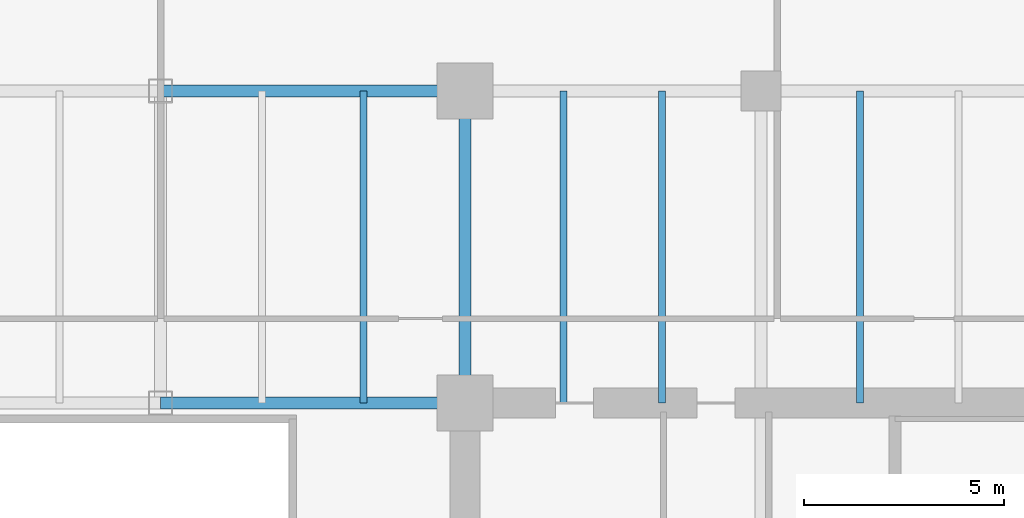
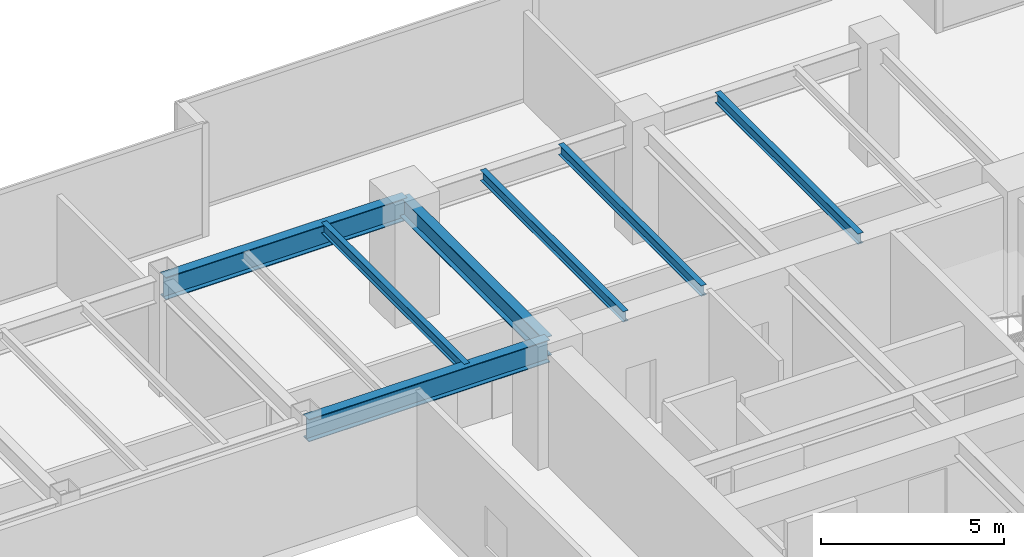
# One storey, part 19 of 35: 7 beams.
"""IFC4 building model written with IfcOpenShell, lengths in metres."""

import ifcopenshell
import ifcopenshell.guid

model = None  # the IFC model being written
_history = None  # IfcOwnerHistory: only IFC2X3 demands one
_inside = {}  # id of a spatial element -> (the spatial element, [elements in it])
_under = {}  # id of a project, library or spatial element -> (it, [spatial elements below it])
_declared = {}  # id of a project -> (the project, [libraries it declares])
_typed = {}  # id of a type object -> (the type object, [elements of that type])
_made_of = {}  # id of a material, layer set ... -> (it, [elements and type objects made of it])


def new_model(schema):
    """Start an empty IFC model of exactly this schema.

    Asked for "IFC4X3", IfcOpenShell would pick the latest addendum, in which some entities
    have other attributes; the version numbers below select the first issue.
    IFC2X3 requires an IfcOwnerHistory on every rooted entity: one is made here for all.
    """
    global model, _history
    if schema == "IFC4X3":
        model = ifcopenshell.file(schema_version=(4, 3, 0, 0))
    else:
        model = ifcopenshell.file(schema=schema)
    _inside.clear()
    _under.clear()
    _declared.clear()
    _typed.clear()
    _made_of.clear()
    _history = None
    if model.schema == "IFC2X3":
        org = make("IfcOrganization", Name="unknown")
        user = make(
            "IfcPersonAndOrganization",
            ThePerson=make("IfcPerson", FamilyName="unknown"),
            TheOrganization=org,
        )
        app = make(
            "IfcApplication",
            ApplicationDeveloper=org,
            Version="unknown",
            ApplicationFullName="unknown",
            ApplicationIdentifier="unknown",
        )
        _history = make(
            "IfcOwnerHistory",
            OwningUser=user,
            OwningApplication=app,
            ChangeAction="ADDED",
            CreationDate=0,
        )
    return model


def make(cls, **values):
    """One entity of the class cls with the attributes given. An attribute that is None is left unset."""
    return model.create_entity(
        cls, **{name: value for name, value in values.items() if value is not None}
    )


def rooted(cls, **values):
    """An entity with a GlobalId (a new one), such as an element, a storey or a relation."""
    return make(cls, GlobalId=ifcopenshell.guid.new(), OwnerHistory=_history, **values)


def si_unit(unit_type, name, prefix=None):
    """IfcSIUnit, for example si_unit("LENGTHUNIT", "METRE", prefix="MILLI")."""
    return make("IfcSIUnit", UnitType=unit_type, Prefix=prefix, Name=name)


def assignment(units):
    """IfcUnitAssignment: the units of a project."""
    return None if units is None else make("IfcUnitAssignment", Units=units)


def point(xyz):
    """IfcCartesianPoint."""
    return None if xyz is None else make("IfcCartesianPoint", Coordinates=xyz)


def direction(xyz):
    """IfcDirection."""
    return None if xyz is None else make("IfcDirection", DirectionRatios=xyz)


def frame(location, z_axis=None, x_axis=None):
    """IfcAxis2Placement3D, a coordinate frame: its origin and axes. An axis left out is left unset."""
    return make(
        "IfcAxis2Placement3D",
        Location=point(location),
        Axis=direction(z_axis),
        RefDirection=direction(x_axis),
    )


def frame_2d(location, x_axis=None):
    """IfcAxis2Placement2D, a coordinate frame in the plane: its origin and x axis."""
    return make(
        "IfcAxis2Placement2D", Location=point(location), RefDirection=direction(x_axis)
    )


def origin():
    """The frame at (0, 0, 0) with its axes left unset."""
    return frame((0.0, 0.0, 0.0))


def origin_2d():
    """The frame at (0, 0) in the plane with its x axis left unset."""
    return frame_2d((0.0, 0.0))


def place(relative_to, where):
    """IfcLocalPlacement: puts the frame where relative to a parent placement (None: the world)."""
    return make(
        "IfcLocalPlacement", PlacementRelTo=relative_to, RelativePlacement=where
    )


def context(
    kind, dimensions, precision=None, world=None, true_north=None, identifier=None
):
    """IfcGeometricRepresentationContext, for example the 3D "Model" context."""
    return make(
        "IfcGeometricRepresentationContext",
        ContextIdentifier=identifier,
        ContextType=kind,
        CoordinateSpaceDimension=dimensions,
        Precision=precision,
        WorldCoordinateSystem=world,
        TrueNorth=true_north,
    )


def subcontext(parent, identifier, kind, view, scale=None):
    """IfcGeometricRepresentationSubContext, for example "Body" below "Model"."""
    return make(
        "IfcGeometricRepresentationSubContext",
        ContextIdentifier=identifier,
        ContextType=kind,
        ParentContext=parent,
        TargetScale=scale,
        TargetView=view,
    )


def project(units=None, contexts=None):
    """IfcProject with its units and contexts."""
    return rooted(
        "IfcProject",
        Name="project",
        RepresentationContexts=contexts,
        UnitsInContext=assignment(units),
    )


def spatial(cls, under=None, at=None, **own):
    """A site, building, storey or space (cls), placed at a placement, below another one or the project."""
    s = rooted(cls, ObjectPlacement=at, **own)
    if under is not None:
        _under.setdefault(under.id(), (under, []))[1].append(s)
    return s


def profile(cls, at=None, kind="AREA", **sizes):
    """A parametric profile (cls). Its sizes go by their IFC names, for example OverallWidth=200.0."""
    return make(cls, ProfileType=kind, Position=at, **sizes)


def i_section(**sizes):
    """IfcIShapeProfileDef."""
    return profile("IfcIShapeProfileDef", **sizes)


def extrude(swept, where, along, depth):
    """IfcExtrudedAreaSolid: the profile swept, set in the frame where, extruded along a direction by depth."""
    return make(
        "IfcExtrudedAreaSolid",
        SweptArea=swept,
        Position=where,
        ExtrudedDirection=direction(along),
        Depth=depth,
    )


def shape(context_of_items, identifier, shape_type, items):
    """IfcShapeRepresentation: the items that make up one representation, for example the "Body"."""
    return make(
        "IfcShapeRepresentation",
        ContextOfItems=context_of_items,
        RepresentationIdentifier=identifier,
        RepresentationType=shape_type,
        Items=items,
    )


def source(mapping_origin, context_of_items, identifier, shape_type, items):
    """IfcRepresentationMap: a shape defined once, which mapped items show again and again."""
    return make(
        "IfcRepresentationMap",
        MappingOrigin=mapping_origin,
        MappedRepresentation=shape(context_of_items, identifier, shape_type, items),
    )


def transform(
    local_origin,
    x_axis=None,
    y_axis=None,
    z_axis=None,
    scale=None,
    scale2=None,
    scale3=None,
    uniform=True,
):
    """IfcCartesianTransformationOperator3D, or its non-uniform kind. x_axis, y_axis, z_axis: its Axis1, 2, 3."""
    if uniform:
        return make(
            "IfcCartesianTransformationOperator3D",
            Axis1=direction(x_axis),
            Axis2=direction(y_axis),
            LocalOrigin=point(local_origin),
            Scale=scale,
            Axis3=direction(z_axis),
        )
    return make(
        "IfcCartesianTransformationOperator3DnonUniform",
        Axis1=direction(x_axis),
        Axis2=direction(y_axis),
        LocalOrigin=point(local_origin),
        Scale=scale,
        Axis3=direction(z_axis),
        Scale2=scale2,
        Scale3=scale3,
    )


def mapped(mapping_source, mapping_target):
    """IfcMappedItem: shows the shape of a source again, moved by a transform."""
    return make(
        "IfcMappedItem", MappingSource=mapping_source, MappingTarget=mapping_target
    )


def material(Name=None, Category=None):
    """IfcMaterial."""
    return make("IfcMaterial", Name=Name, Category=Category)


def material_profile(
    of_material, cross_section, Name=None, Category=None, Priority=None
):
    """IfcMaterialProfile: a cross section and its material."""
    return make(
        "IfcMaterialProfile",
        Name=Name,
        Material=of_material,
        Profile=cross_section,
        Priority=Priority,
        Category=Category,
    )


def profile_set(profiles, Name=None, composite=None):
    """IfcMaterialProfileSet."""
    return make(
        "IfcMaterialProfileSet",
        Name=Name,
        MaterialProfiles=profiles,
        CompositeProfile=composite,
    )


def made_of(thing, what):
    """Note that an element or type object is made of a material, layer set ...; save() writes the relation."""
    if what is not None:
        _made_of.setdefault(what.id(), (what, []))[1].append(thing)
    return thing


def type_object(cls, material=None, **own):
    """A type object (cls), such as IfcWallType, which elements share."""
    return made_of(rooted(cls, **own), material)


def type_shapes(of_type, sources):
    """Give a type object the sources (RepresentationMaps) that its elements show as mapped items."""
    of_type.RepresentationMaps = sources


def element(
    cls,
    number,
    at=None,
    inside=None,
    cuts=None,
    type_object=None,
    material=None,
    context=None,
    identifier="Body",
    shape_type=None,
    held_by="IfcProductDefinitionShape",
    body=None,
    shapes=None,
    **own,
):
    """One element of the class cls, such as IfcWall. Its Tag is "e" and its number.

    at: its placement. inside: the storey or other place that contains it. cuts: it is an
    opening in that element (IfcRelVoidsElement). A single representation is given by context,
    identifier, shape_type and body (its items); several are given by shapes. held_by: the class
    of the entity that holds the representations. save() writes the other relations.
    """
    e = rooted(cls, Tag="e%d" % number, ObjectPlacement=at, **own)
    if body is not None:
        shapes = [shape(context, identifier, shape_type, body)]
    if shapes is not None:
        e.Representation = make(held_by, Representations=shapes)
    if inside is not None:
        _inside.setdefault(inside.id(), (inside, []))[1].append(e)
    if cuts is not None:
        rooted(
            "IfcRelVoidsElement", RelatingBuildingElement=cuts, RelatedOpeningElement=e
        )
    if type_object is not None:
        _typed.setdefault(type_object.id(), (type_object, []))[1].append(e)
    return made_of(e, material)


def aggregate(whole, parts):
    """IfcRelAggregates: a whole, such as a stair, and the parts it consists of."""
    return rooted("IfcRelAggregates", RelatingObject=whole, RelatedObjects=parts)


def save(model, path):
    """Write the relations noted so far, then the file.

    IfcRelAggregates (storeys below a building ...), IfcRelContainedInSpatialStructure (elements
    in a storey), IfcRelDefinesByType, IfcRelAssociatesMaterial and IfcRelDeclares: one each for
    every whole, place, type object, material and project.
    """
    for whole, parts in _under.values():
        aggregate(whole, parts)
    for where, things in _inside.values():
        rooted(
            "IfcRelContainedInSpatialStructure",
            RelatedElements=things,
            RelatingStructure=where,
        )
    for kind, things in _typed.values():
        rooted("IfcRelDefinesByType", RelatedObjects=things, RelatingType=kind)
    for what, things in _made_of.values():
        rooted("IfcRelAssociatesMaterial", RelatedObjects=things, RelatingMaterial=what)
    for by, libraries in _declared.values():
        rooted("IfcRelDeclares", RelatingContext=by, RelatedDefinitions=libraries)
    model.write(path)


model = new_model("IFC4")

# Units and contexts
model_context = context("Model", 3, precision=1e-05, world=origin(), true_north=direction((0.0, 1.0)))
body_context = subcontext(model_context, "Body", "Model", "MODEL_VIEW")
ifc_project = project(units=[si_unit("LENGTHUNIT", "METRE"), si_unit("AREAUNIT", "SQUARE_METRE"), si_unit("VOLUMEUNIT", "CUBIC_METRE"), si_unit("PLANEANGLEUNIT", "RADIAN"), si_unit("MASSUNIT", "GRAM", prefix="KILO")], contexts=[model_context])

# Site, building, storey
site_placement = place(None, origin())
site = spatial("IfcSite", under=ifc_project, at=site_placement, CompositionType="ELEMENT")
building_placement = place(site_placement, origin())
building = spatial("IfcBuilding", under=site, at=building_placement, Name="Haelvirn Gate Laboratories", CompositionType="ELEMENT")
storey_placement = place(building_placement, frame((0.0, 0.0, 70.300048828125)))
storey = spatial("IfcBuildingStorey", under=building, at=storey_placement, Name="L17", CompositionType="ELEMENT", Elevation=70.300048828125)

# Beams
ifc_material = material(Name="Steel SM355", Category="steel")
ifc_material_profile_1 = material_profile(ifc_material, i_section(OverallWidth=0.300048828125, OverallDepth=0.75, WebThickness=0.013916015625, FlangeThickness=0.02392578125, at=origin_2d()), Name="H-750x300x14x24")
ifc_profile_set_1 = profile_set([ifc_material_profile_1], Name="Steel SM355")
beam_type_1 = type_object("IfcBeamType", Name="BM-G-750", PredefinedType="BEAM", material=ifc_profile_set_1)
shared_shape_1 = source(origin(), body_context, "Body", "SweptSolid", [
    extrude(i_section(OverallWidth=0.300048828125, OverallDepth=0.75, WebThickness=0.013916015625, FlangeThickness=0.02392578125, at=origin_2d()), origin(), (0.0, 0.0, 1.0), 7.60009765625),
])
type_shapes(beam_type_1, [shared_shape_1])
for number, where, z_axis, x_axis, name in (
    (1, (45.0, 33.800048828125, 3.405029296875), (1.0, 0.0, 0.0), (0.0, 1.0, 0.0), "L17 Primary Girder Y33.8 (45.0-52.6)"),
    (2, (45.0, 41.60009765625, 3.405029296875), (1.0, 0.0, 0.0), (0.0, 1.0, 0.0), "L17 Primary Girder Y41.6 (45.0-52.6)"),
):
    element("IfcBeam", number, at=place(storey_placement, frame(where, z_axis=z_axis, x_axis=x_axis)), inside=storey, type_object=beam_type_1, Name=name, PredefinedType="BEAM", context=body_context, shape_type="MappedRepresentation", body=[
        mapped(shared_shape_1, transform((0.0, 0.0, 0.0), scale=1.0)),
    ])
ifc_material_profile_2 = material_profile(ifc_material, i_section(OverallWidth=0.175048828125, OverallDepth=0.35009765625, WebThickness=0.007080078125, FlangeThickness=0.010986328125, at=origin_2d()), Name="H-350x175x7x11")
ifc_profile_set_2 = profile_set([ifc_material_profile_2], Name="Steel SM355")
beam_type_2 = type_object("IfcBeamType", Name="BM-J-350", PredefinedType="JOIST", material=ifc_profile_set_2)
shared_shape_2 = source(origin(), body_context, "Body", "SweptSolid", [
    extrude(i_section(OverallWidth=0.175048828125, OverallDepth=0.35009765625, WebThickness=0.007080078125, FlangeThickness=0.010986328125, at=origin_2d()), origin(), (0.0, 0.0, 1.0), 7.800048828125),
])
type_shapes(beam_type_2, [shared_shape_2])
for number, where, z_axis, x_axis, name in (
    (3, (50.070068359375, 33.800048828125, 3.60498046875), (0.0, 1.0, 0.0), (-1.0, 0.0, 0.0), "L17 Composite Lab Joist North X50.07"),
    (4, (55.070068359375, 33.800048828125, 3.60498046875), (0.0, 1.0, 0.0), (-1.0, 0.0, 0.0), "L17 Composite Lab Joist North X55.07"),
    (5, (57.530029296875, 33.800048828125, 3.60498046875), (0.0, 1.0, 0.0), (-1.0, 0.0, 0.0), "L17 Composite Lab Joist North X57.53"),
    (6, (62.469970703125, 33.800048828125, 3.60498046875), (0.0, 1.0, 0.0), (-1.0, 0.0, 0.0), "L17 Composite Lab Joist North X62.47"),
):
    element("IfcBeam", number, at=place(storey_placement, frame(where, z_axis=z_axis, x_axis=x_axis)), inside=storey, type_object=beam_type_2, Name=name, PredefinedType="JOIST", context=body_context, shape_type="MappedRepresentation", body=[
        mapped(shared_shape_2, transform((0.0, 0.0, 0.0), scale=1.0)),
    ])
ifc_material_profile_3 = material_profile(ifc_material, i_section(OverallWidth=0.300048828125, OverallDepth=0.64990234375, WebThickness=0.012939453125, FlangeThickness=0.02197265625, at=origin_2d()), Name="H-650x300x13x22")
ifc_profile_set_3 = profile_set([ifc_material_profile_3], Name="Steel SM355")
beam_type_3 = type_object("IfcBeamType", Name="BM-G-650", PredefinedType="BEAM", material=ifc_profile_set_3)
shared_shape_3 = source(origin(), body_context, "Body", "SweptSolid", [
    extrude(i_section(OverallWidth=0.300048828125, OverallDepth=0.64990234375, WebThickness=0.012939453125, FlangeThickness=0.02197265625, at=origin_2d()), origin(), (0.0, 0.0, 1.0), 7.800048828125),
])
type_shapes(beam_type_3, [shared_shape_3])
beam_placement = place(storey_placement, frame((52.60009765625, 33.800048828125, 3.454833984375), z_axis=(0.0, 1.0, 0.0), x_axis=(-1.0, 0.0, 0.0)))
element("IfcBeam", 7, at=beam_placement, inside=storey, type_object=beam_type_3, Name="L17 Frame Girder X52.6 (33.8-41.6)", PredefinedType="BEAM", context=body_context, shape_type="MappedRepresentation", body=[
    mapped(shared_shape_3, transform((0.0, 0.0, 0.0), scale=1.0)),
])

save(model, "model.ifc")
